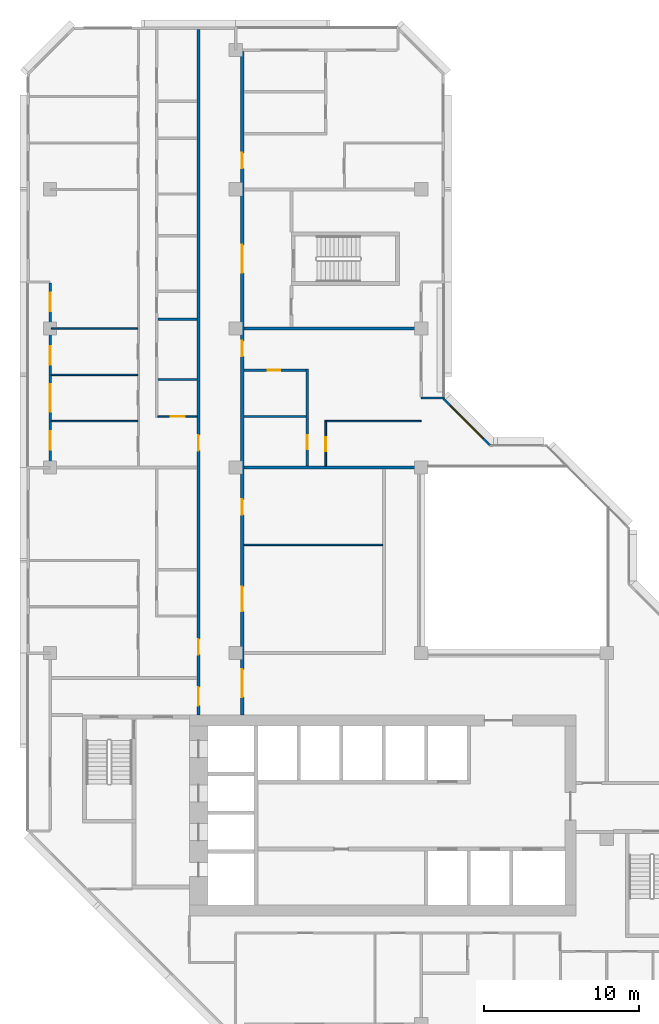
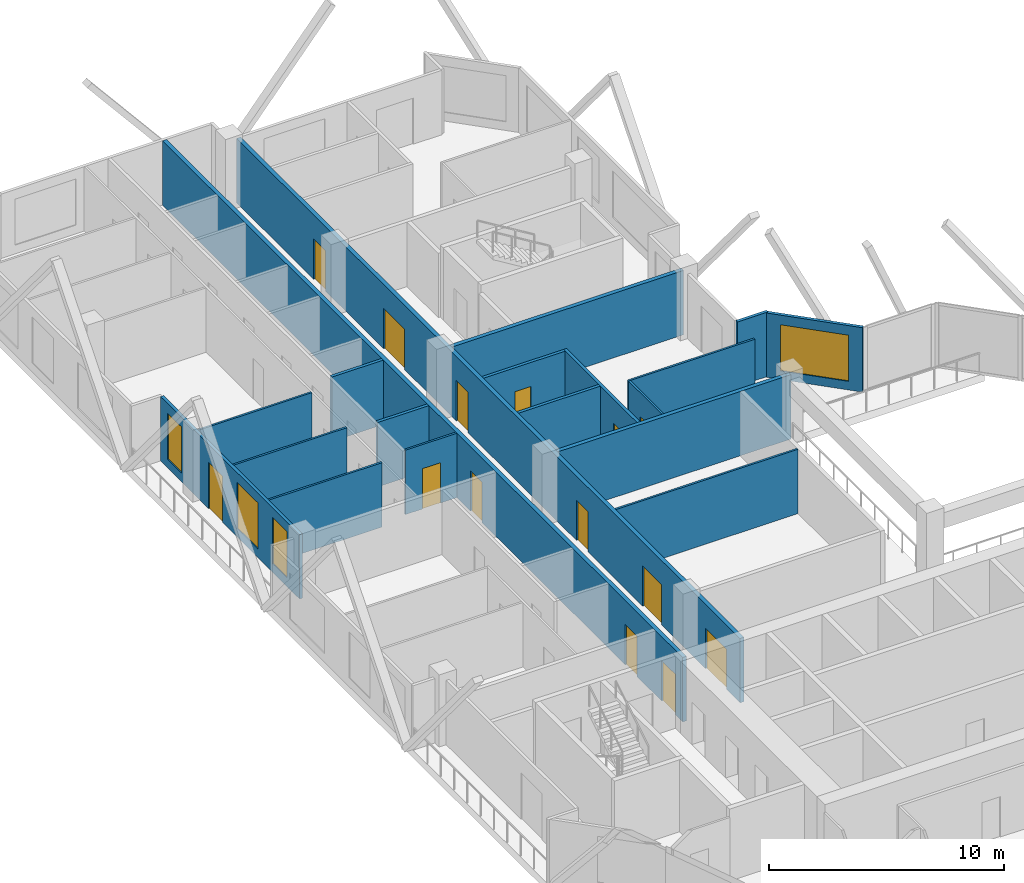
# One storey, part 9 of 14: 19 walls, 14 doors, 4 windows, 18 openings.
"""IFC4 building model written with IfcOpenShell, lengths in metres."""

from ifc_helpers import new_model, si_unit, direction, frame, frame_2d, origin, place, context, subcontext, project, spatial, rectangle, extrude, material, layer, layer_set, type_object, element, fill, save


model = new_model("IFC4")

# Units and contexts
model_context = context("Model", 3, precision=1e-05, world=origin(), true_north=direction((0.0, 1.0)))
body_context = subcontext(model_context, "Body", "Model", "MODEL_VIEW")
ifc_project = project(units=[si_unit("LENGTHUNIT", "METRE"), si_unit("AREAUNIT", "SQUARE_METRE"), si_unit("VOLUMEUNIT", "CUBIC_METRE"), si_unit("PLANEANGLEUNIT", "RADIAN"), si_unit("MASSUNIT", "GRAM", prefix="KILO")], contexts=[model_context])

# Site, building, storey
site_placement = place(None, origin())
site = spatial("IfcSite", under=ifc_project, at=site_placement, CompositionType="ELEMENT")
building_placement = place(site_placement, origin())
building = spatial("IfcBuilding", under=site, at=building_placement, Name="Chenar Terraces", CompositionType="ELEMENT")
storey_placement = place(building_placement, frame((0.0, 0.0, 226.64990234375)))
storey = spatial("IfcBuildingStorey", under=building, at=storey_placement, Name="L53", CompositionType="ELEMENT", Elevation=226.64990234375)

# Wall, openings, doors
ifc_material_1 = material(Name="Gypsum board on steel studs with fire boards", Category="steel")
ifc_layer_1 = layer(ifc_material_1, 0.199951171875)
ifc_layer_set_1 = layer_set([ifc_layer_1], Name="Gypsum board on steel studs with fire boards")
wall_type_1 = type_object("IfcWallType", Name="Corridor wall 200", PredefinedType="PARTITIONING", material=ifc_layer_set_1)
wall_1_placement = place(storey_placement, frame((9.60009765625, 20.0, 0.0), z_axis=(0.0, 0.0, 1.0), x_axis=(0.0, 1.0, 0.0)))
wall_1 = element("IfcWall", 1, at=wall_1_placement, inside=storey, type_object=wall_type_1, Name="Partition L53-029", PredefinedType="PARTITIONING", context=body_context, shape_type="SweptSolid", body=[
    extrude(rectangle(XDim=44.35009765625, YDim=0.199951171875, at=frame_2d((22.175048828125, 0.0))), origin(), (0.0, 0.0, 1.0), 3.35009765625),
])
opening_1_placement = place(wall_1_placement, frame((17.10009765625, 0.0, 0.0)))
opening_1 = element("IfcOpeningElement", 2, at=opening_1_placement, cuts=wall_1, Name="Opening DL53-29", PredefinedType="OPENING", context=body_context, shape_type="SweptSolid", body=[
    extrude(rectangle(XDim=1.0, YDim=2.10009765625, at=frame_2d((0.5, 1.050048828125))), frame((0.0, 0.10986328125, 0.0), z_axis=(0.0, -1.0, 0.0), x_axis=(1.0, 0.0, 0.0)), (0.0, 0.0, 1.0), 0.219970703125),
])
opening_2_placement = place(wall_1_placement, frame((0.60009765625, 0.0, 0.0)))
opening_2 = element("IfcOpeningElement", 3, at=opening_2_placement, cuts=wall_1, Name="Opening DL53-40", PredefinedType="OPENING", context=body_context, shape_type="SweptSolid", body=[
    extrude(rectangle(XDim=1.199951171875, YDim=2.10009765625, at=frame_2d((0.60009765625, 1.050048828125))), frame((0.0, 0.10986328125, 0.0), z_axis=(0.0, -1.0, 0.0), x_axis=(1.0, 0.0, 0.0)), (0.0, 0.0, 1.0), 0.219970703125),
])
opening_3_placement = place(wall_1_placement, frame((3.89990234375, 0.0, 0.0)))
opening_3 = element("IfcOpeningElement", 4, at=opening_3_placement, cuts=wall_1, Name="Opening DL53-64", PredefinedType="OPENING", context=body_context, shape_type="SweptSolid", body=[
    extrude(rectangle(XDim=1.0, YDim=2.10009765625, at=frame_2d((0.5, 1.050048828125))), frame((0.0, 0.10986328125, 0.0), z_axis=(0.0, -1.0, 0.0), x_axis=(1.0, 0.0, 0.0)), (0.0, 0.0, 1.0), 0.219970703125),
])
ifc_material_2 = material(Name="Steel-framed fire-resisting door leaf", Category="steel")
door_type_1 = type_object("IfcDoorType", Name="Fire door FD30S 1000 x 2100", OperationType="SINGLE_SWING_LEFT", PredefinedType="DOOR", material=ifc_material_2)
door_1_placement = place(opening_1_placement, origin())
door_1 = element("IfcDoor", 5, at=door_1_placement, inside=storey, type_object=door_type_1, Name="Door DL53-29", OperationType="SINGLE_SWING_LEFT", OverallHeight=2.10009765625, OverallWidth=1.0, PredefinedType="DOOR", context=body_context, shape_type="SweptSolid", body=[
    extrude(rectangle(XDim=1.0, YDim=2.10009765625, at=frame_2d((0.5, 1.050048828125))), frame((0.0, 0.02490234375, 0.0), z_axis=(0.0, -1.0, 0.0), x_axis=(1.0, 0.0, 0.0)), (0.0, 0.0, 1.0), 0.050048828125),
])
fill(opening_1, door_1)
door_2_placement = place(opening_3_placement, origin())
door_2 = element("IfcDoor", 6, at=door_2_placement, inside=storey, type_object=door_type_1, Name="Door DL53-64", OperationType="SINGLE_SWING_LEFT", OverallHeight=2.10009765625, OverallWidth=1.0, PredefinedType="DOOR", context=body_context, shape_type="SweptSolid", body=[
    extrude(rectangle(XDim=1.0, YDim=2.10009765625, at=frame_2d((0.5, 1.050048828125))), frame((0.0, 0.02490234375, 0.0), z_axis=(0.0, -1.0, 0.0), x_axis=(1.0, 0.0, 0.0)), (0.0, 0.0, 1.0), 0.050048828125),
])
fill(opening_3, door_2)
ifc_material_3 = material(Name="Steel-framed fire-resisting door leaf", Category="steel")
door_type_2 = type_object("IfcDoorType", Name="Fire door FD30S 1200 x 2100", OperationType="SINGLE_SWING_LEFT", PredefinedType="DOOR", material=ifc_material_3)
door_3_placement = place(opening_2_placement, origin())
door_3 = element("IfcDoor", 7, at=door_3_placement, inside=storey, type_object=door_type_2, Name="Door DL53-40", OperationType="SINGLE_SWING_RIGHT", OverallHeight=2.10009765625, OverallWidth=1.199951171875, PredefinedType="DOOR", context=body_context, shape_type="SweptSolid", body=[
    extrude(rectangle(XDim=1.199951171875, YDim=2.10009765625, at=frame_2d((0.60009765625, 1.050048828125))), frame((0.0, 0.02490234375, 0.0), z_axis=(0.0, -1.0, 0.0), x_axis=(1.0, 0.0, 0.0)), (0.0, 0.0, 1.0), 0.050048828125),
])
fill(opening_2, door_3)

wall_2_placement = place(storey_placement, frame((12.425048828125, 20.0, 0.0), z_axis=(0.0, 0.0, 1.0), x_axis=(0.0, 1.0, 0.0)))
wall_2 = element("IfcWall", 8, at=wall_2_placement, inside=storey, type_object=wall_type_1, Name="Partition L53-032", PredefinedType="PARTITIONING", context=body_context, shape_type="SweptSolid", body=[
    extrude(rectangle(XDim=42.926025390625, YDim=0.199951171875, at=frame_2d((21.462890625, 0.0))), origin(), (0.0, 0.0, 1.0), 3.35009765625),
])
opening_4_placement = place(wall_2_placement, frame((6.699951171875, 0.0, 0.0)))
opening_4 = element("IfcOpeningElement", 9, at=opening_4_placement, cuts=wall_2, Name="Opening DL53-1", PredefinedType="OPENING", context=body_context, shape_type="SweptSolid", body=[
    extrude(rectangle(XDim=1.60009765625, YDim=2.10009765625, at=frame_2d((0.800048828125, 1.050048828125))), frame((0.0, 0.10986328125, 0.0), z_axis=(0.0, -1.0, 0.0), x_axis=(1.0, 0.0, 0.0)), (0.0, 0.0, 1.0), 0.219970703125),
])
opening_5_placement = place(wall_2_placement, frame((12.949951171875, 0.0, 0.0)))
opening_5 = element("IfcOpeningElement", 10, at=opening_5_placement, cuts=wall_2, Name="Opening DL53-2", PredefinedType="OPENING", context=body_context, shape_type="SweptSolid", body=[
    extrude(rectangle(XDim=1.0, YDim=2.10009765625, at=frame_2d((0.5, 1.050048828125))), frame((0.0, 0.10986328125, 0.0), z_axis=(0.0, -1.0, 0.0), x_axis=(1.0, 0.0, 0.0)), (0.0, 0.0, 1.0), 0.219970703125),
])
opening_6_placement = place(wall_2_placement, frame((23.199951171875, 0.0, 0.0)))
opening_6 = element("IfcOpeningElement", 11, at=opening_6_placement, cuts=wall_2, Name="Opening DL53-17", PredefinedType="OPENING", context=body_context, shape_type="SweptSolid", body=[
    extrude(rectangle(XDim=1.0, YDim=2.10009765625, at=frame_2d((0.5, 1.050048828125))), frame((0.0, 0.10986328125, 0.0), z_axis=(0.0, -1.0, 0.0), x_axis=(1.0, 0.0, 0.0)), (0.0, 0.0, 1.0), 0.219970703125),
])
opening_7_placement = place(wall_2_placement, frame((35.35009765625, 0.0, 0.0)))
opening_7 = element("IfcOpeningElement", 12, at=opening_7_placement, cuts=wall_2, Name="Opening DL53-21", PredefinedType="OPENING", context=body_context, shape_type="SweptSolid", body=[
    extrude(rectangle(XDim=1.0, YDim=2.10009765625, at=frame_2d((0.5, 1.050048828125))), frame((0.0, 0.10986328125, 0.0), z_axis=(0.0, -1.0, 0.0), x_axis=(1.0, 0.0, 0.0)), (0.0, 0.0, 1.0), 0.219970703125),
])
opening_8_placement = place(wall_2_placement, frame((1.14990234375, 0.0, 0.0)))
opening_8 = element("IfcOpeningElement", 13, at=opening_8_placement, cuts=wall_2, Name="Opening DL53-39", PredefinedType="OPENING", context=body_context, shape_type="SweptSolid", body=[
    extrude(rectangle(XDim=1.800048828125, YDim=2.10009765625, at=frame_2d((0.89990234375, 1.050048828125))), frame((0.0, 0.10986328125, 0.0), z_axis=(0.0, -1.0, 0.0), x_axis=(1.0, 0.0, 0.0)), (0.0, 0.0, 1.0), 0.219970703125),
])
opening_9_placement = place(wall_2_placement, frame((28.60009765625, 0.0, 0.0)))
opening_9 = element("IfcOpeningElement", 14, at=opening_9_placement, cuts=wall_2, Name="Opening DL53-41", PredefinedType="OPENING", context=body_context, shape_type="SweptSolid", body=[
    extrude(rectangle(XDim=1.800048828125, YDim=2.10009765625, at=frame_2d((0.89990234375, 1.050048828125))), frame((0.0, 0.10986328125, 0.0), z_axis=(0.0, -1.0, 0.0), x_axis=(1.0, 0.0, 0.0)), (0.0, 0.0, 1.0), 0.219970703125),
])
ifc_material_4 = material(Name="Steel-framed fire-resisting door leaf", Category="steel")
door_type_3 = type_object("IfcDoorType", Name="Fire door FD60 1000 x 2100", OperationType="SINGLE_SWING_LEFT", PredefinedType="DOOR", material=ifc_material_4)
door_4_placement = place(opening_5_placement, frame((1.0, 0.0, 0.0), z_axis=(0.0, 0.0, 1.0), x_axis=(-1.0, 0.0, 0.0)))
door_4 = element("IfcDoor", 15, at=door_4_placement, inside=storey, type_object=door_type_3, Name="Door DL53-2", OperationType="SINGLE_SWING_LEFT", OverallHeight=2.10009765625, OverallWidth=1.0, PredefinedType="DOOR", context=body_context, shape_type="SweptSolid", body=[
    extrude(rectangle(XDim=1.0, YDim=2.10009765625, at=frame_2d((0.5, 1.050048828125))), frame((0.0, 0.02490234375, 0.0), z_axis=(0.0, -1.0, 0.0), x_axis=(1.0, 0.0, 0.0)), (0.0, 0.0, 1.0), 0.050048828125),
])
fill(opening_5, door_4)
door_5_placement = place(opening_6_placement, frame((1.0, 0.0, 0.0), z_axis=(0.0, 0.0, 1.0), x_axis=(-1.0, 0.0, 0.0)))
door_5 = element("IfcDoor", 16, at=door_5_placement, inside=storey, type_object=door_type_3, Name="Door DL53-17", OperationType="SINGLE_SWING_LEFT", OverallHeight=2.10009765625, OverallWidth=1.0, PredefinedType="DOOR", context=body_context, shape_type="SweptSolid", body=[
    extrude(rectangle(XDim=1.0, YDim=2.10009765625, at=frame_2d((0.5, 1.050048828125))), frame((0.0, 0.02490234375, 0.0), z_axis=(0.0, -1.0, 0.0), x_axis=(1.0, 0.0, 0.0)), (0.0, 0.0, 1.0), 0.050048828125),
])
fill(opening_6, door_5)
door_6_placement = place(opening_7_placement, frame((1.0, 0.0, 0.0), z_axis=(0.0, 0.0, 1.0), x_axis=(-1.0, 0.0, 0.0)))
door_6 = element("IfcDoor", 17, at=door_6_placement, inside=storey, type_object=door_type_3, Name="Door DL53-21", OperationType="SINGLE_SWING_LEFT", OverallHeight=2.10009765625, OverallWidth=1.0, PredefinedType="DOOR", context=body_context, shape_type="SweptSolid", body=[
    extrude(rectangle(XDim=1.0, YDim=2.10009765625, at=frame_2d((0.5, 1.050048828125))), frame((0.0, 0.02490234375, 0.0), z_axis=(0.0, -1.0, 0.0), x_axis=(1.0, 0.0, 0.0)), (0.0, 0.0, 1.0), 0.050048828125),
])
fill(opening_7, door_6)
ifc_material_5 = material(Name="Steel-framed fire-resisting door leaf", Category="steel")
door_type_4 = type_object("IfcDoorType", Name="Fire double door FD60 1600 x 2100", OperationType="DOUBLE_DOOR_SINGLE_SWING", PredefinedType="DOOR", material=ifc_material_5)
door_7_placement = place(opening_4_placement, frame((1.60009765625, 0.0, 0.0), z_axis=(0.0, 0.0, 1.0), x_axis=(-1.0, 0.0, 0.0)))
door_7 = element("IfcDoor", 18, at=door_7_placement, inside=storey, type_object=door_type_4, Name="Door DL53-1", OperationType="DOUBLE_DOOR_SINGLE_SWING", OverallHeight=2.10009765625, OverallWidth=1.60009765625, PredefinedType="DOOR", context=body_context, shape_type="SweptSolid", body=[
    extrude(rectangle(XDim=1.60009765625, YDim=2.10009765625, at=frame_2d((0.800048828125, 1.050048828125))), frame((0.0, 0.02490234375, 0.0), z_axis=(0.0, -1.0, 0.0), x_axis=(1.0, 0.0, 0.0)), (0.0, 0.0, 1.0), 0.050048828125),
])
fill(opening_4, door_7)
ifc_material_6 = material(Name="Steel-framed fire-resisting door leaf", Category="steel")
door_type_5 = type_object("IfcDoorType", Name="Fire double door FD60 1800 x 2100", OperationType="DOUBLE_DOOR_SINGLE_SWING", PredefinedType="DOOR", material=ifc_material_6)
door_8_placement = place(opening_8_placement, frame((1.800048828125, 0.0, 0.0), z_axis=(0.0, 0.0, 1.0), x_axis=(-1.0, 0.0, 0.0)))
door_8 = element("IfcDoor", 19, at=door_8_placement, inside=storey, type_object=door_type_5, Name="Door DL53-39", OperationType="DOUBLE_DOOR_SINGLE_SWING", OverallHeight=2.10009765625, OverallWidth=1.800048828125, PredefinedType="DOOR", context=body_context, shape_type="SweptSolid", body=[
    extrude(rectangle(XDim=1.800048828125, YDim=2.10009765625, at=frame_2d((0.89990234375, 1.050048828125))), frame((0.0, 0.02490234375, 0.0), z_axis=(0.0, -1.0, 0.0), x_axis=(1.0, 0.0, 0.0)), (0.0, 0.0, 1.0), 0.050048828125),
])
fill(opening_8, door_8)
door_9_placement = place(opening_9_placement, frame((1.800048828125, 0.0, 0.0), z_axis=(0.0, 0.0, 1.0), x_axis=(-1.0, 0.0, 0.0)))
door_9 = element("IfcDoor", 20, at=door_9_placement, inside=storey, type_object=door_type_5, Name="Door DL53-41", OperationType="DOUBLE_DOOR_SINGLE_SWING", OverallHeight=2.10009765625, OverallWidth=1.800048828125, PredefinedType="DOOR", context=body_context, shape_type="SweptSolid", body=[
    extrude(rectangle(XDim=1.800048828125, YDim=2.10009765625, at=frame_2d((0.89990234375, 1.050048828125))), frame((0.0, 0.02490234375, 0.0), z_axis=(0.0, -1.0, 0.0), x_axis=(1.0, 0.0, 0.0)), (0.0, 0.0, 1.0), 0.050048828125),
])
fill(opening_9, door_9)

# Wall, openings, windows, door
ifc_material_7 = material(Name="Aluminium framed glazing", Category="aluminium")
ifc_layer_2 = layer(ifc_material_7, 0.14990234375)
ifc_layer_set_2 = layer_set([ifc_layer_2], Name="Aluminium framed glazing")
wall_type_2 = type_object("IfcWallType", Name="Glazed loggia back wall 150", PredefinedType="SOLIDWALL", material=ifc_layer_set_2)
wall_3_placement = place(storey_placement, frame((0.0, 47.925048828125, 0.0), z_axis=(0.0, 0.0, 1.0), x_axis=(0.0, -1.0, 0.0)))
wall_3 = element("IfcWall", 21, at=wall_3_placement, inside=storey, type_object=wall_type_2, Name="Glazed loggia back wall", PredefinedType="SOLIDWALL", context=body_context, shape_type="SweptSolid", body=[
    extrude(rectangle(XDim=11.85009765625, YDim=0.14990234375, at=frame_2d((5.925048828125, 0.0))), origin(), (0.0, 0.0, 1.0), 3.35009765625),
])
opening_10_placement = place(wall_3_placement, frame((0.60009765625, 0.0, 0.449951171875)))
opening_10 = element("IfcOpeningElement", 22, at=opening_10_placement, cuts=wall_3, Name="Opening W120x240", PredefinedType="OPENING", context=body_context, shape_type="SweptSolid", body=[
    extrude(rectangle(XDim=1.199951171875, YDim=2.39990234375, at=frame_2d((0.60009765625, 1.199951171875))), frame((0.0, 0.0849609375, 0.0), z_axis=(0.0, -1.0, 0.0), x_axis=(1.0, 0.0, 0.0)), (0.0, 0.0, 1.0), 0.169921875),
])
opening_11_placement = place(wall_3_placement, frame((4.08740234375, 0.0, 0.0)))
opening_11 = element("IfcOpeningElement", 23, at=opening_11_placement, cuts=wall_3, Name="Opening DL53-G3", PredefinedType="OPENING", context=body_context, shape_type="SweptSolid", body=[
    extrude(rectangle(XDim=1.199951171875, YDim=2.39990234375, at=frame_2d((0.60009765625, 1.199951171875))), frame((0.0, 0.0849609375, 0.0), z_axis=(0.0, -1.0, 0.0), x_axis=(1.0, 0.0, 0.0)), (0.0, 0.0, 1.0), 0.169921875),
])
opening_12_placement = place(wall_3_placement, frame((6.52490234375, 0.0, 0.449951171875)))
opening_12 = element("IfcOpeningElement", 24, at=opening_12_placement, cuts=wall_3, Name="Opening W180x240", PredefinedType="OPENING", context=body_context, shape_type="SweptSolid", body=[
    extrude(rectangle(XDim=1.800048828125, YDim=2.39990234375, at=frame_2d((0.89990234375, 1.199951171875))), frame((0.0, 0.0849609375, 0.0), z_axis=(0.0, -1.0, 0.0), x_axis=(1.0, 0.0, 0.0)), (0.0, 0.0, 1.0), 0.169921875),
])
opening_13_placement = place(wall_3_placement, frame((9.5625, 0.0, 0.449951171875)))
opening_13 = element("IfcOpeningElement", 25, at=opening_13_placement, cuts=wall_3, Name="Opening W120x240", PredefinedType="OPENING", context=body_context, shape_type="SweptSolid", body=[
    extrude(rectangle(XDim=1.199951171875, YDim=2.39990234375, at=frame_2d((0.60009765625, 1.199951171875))), frame((0.0, 0.0849609375, 0.0), z_axis=(0.0, -1.0, 0.0), x_axis=(1.0, 0.0, 0.0)), (0.0, 0.0, 1.0), 0.169921875),
])
ifc_material_8 = material(Name="Low emissivity double glazing, aluminium frame", Category="aluminium")
window_type_1 = type_object("IfcWindowType", Name="Fixed light 1200 x 2400", PartitioningType="SINGLE_PANEL", PredefinedType="WINDOW", material=ifc_material_8)
window_1_placement = place(opening_10_placement, origin())
window_1 = element("IfcWindow", 26, at=window_1_placement, inside=storey, type_object=window_type_1, Name="Window", OverallHeight=2.39990234375, OverallWidth=1.199951171875, PartitioningType="SINGLE_PANEL", PredefinedType="WINDOW", context=body_context, shape_type="SweptSolid", body=[
    extrude(rectangle(XDim=1.199951171875, YDim=2.39990234375, at=frame_2d((0.60009765625, 1.199951171875))), frame((0.0, 0.030029296875, 0.0), z_axis=(0.0, -1.0, 0.0), x_axis=(1.0, 0.0, 0.0)), (0.0, 0.0, 1.0), 0.06005859375),
])
fill(opening_10, window_1)
window_2_placement = place(opening_13_placement, origin())
window_2 = element("IfcWindow", 27, at=window_2_placement, inside=storey, type_object=window_type_1, Name="Window", OverallHeight=2.39990234375, OverallWidth=1.199951171875, PartitioningType="SINGLE_PANEL", PredefinedType="WINDOW", context=body_context, shape_type="SweptSolid", body=[
    extrude(rectangle(XDim=1.199951171875, YDim=2.39990234375, at=frame_2d((0.60009765625, 1.199951171875))), frame((0.0, 0.030029296875, 0.0), z_axis=(0.0, -1.0, 0.0), x_axis=(1.0, 0.0, 0.0)), (0.0, 0.0, 1.0), 0.06005859375),
])
fill(opening_13, window_2)
ifc_material_9 = material(Name="Low emissivity double glazing, aluminium frame", Category="aluminium")
window_type_2 = type_object("IfcWindowType", Name="Fixed light 1800 x 2400", PartitioningType="SINGLE_PANEL", PredefinedType="WINDOW", material=ifc_material_9)
window_3_placement = place(opening_12_placement, origin())
window_3 = element("IfcWindow", 28, at=window_3_placement, inside=storey, type_object=window_type_2, Name="Window", OverallHeight=2.39990234375, OverallWidth=1.800048828125, PartitioningType="SINGLE_PANEL", PredefinedType="WINDOW", context=body_context, shape_type="SweptSolid", body=[
    extrude(rectangle(XDim=1.800048828125, YDim=2.39990234375, at=frame_2d((0.89990234375, 1.199951171875))), frame((0.0, 0.030029296875, 0.0), z_axis=(0.0, -1.0, 0.0), x_axis=(1.0, 0.0, 0.0)), (0.0, 0.0, 1.0), 0.06005859375),
])
fill(opening_12, window_3)
ifc_material_10 = material(Name="Low emissivity double glazing, aluminium frame", Category="aluminium")
door_type_6 = type_object("IfcDoorType", Name="Loggia glazed double door 1200 x 2400", OperationType="DOUBLE_DOOR_SINGLE_SWING", PredefinedType="DOOR", material=ifc_material_10)
door_10_placement = place(opening_11_placement, frame((1.199951171875, 0.0, 0.0), z_axis=(0.0, 0.0, 1.0), x_axis=(-1.0, 0.0, 0.0)))
door_10 = element("IfcDoor", 29, at=door_10_placement, inside=storey, type_object=door_type_6, Name="Loggia glazed door", OperationType="DOUBLE_DOOR_SINGLE_SWING", OverallHeight=2.39990234375, OverallWidth=1.199951171875, PredefinedType="DOOR", context=body_context, shape_type="SweptSolid", body=[
    extrude(rectangle(XDim=1.199951171875, YDim=2.39990234375, at=frame_2d((0.60009765625, 1.199951171875))), frame((0.0, 0.02490234375, 0.0), z_axis=(0.0, -1.0, 0.0), x_axis=(1.0, 0.0, 0.0)), (0.0, 0.0, 1.0), 0.050048828125),
])
fill(opening_11, door_10)

# Walls
ifc_material_11 = material(Name="Gypsum board on steel studs", Category="steel")
ifc_layer_3 = layer(ifc_material_11, 0.10009765625)
ifc_layer_set_3 = layer_set([ifc_layer_3], Name="Gypsum board on steel studs")
wall_type_3 = type_object("IfcWallType", Name="Gypsum partition 100", PredefinedType="PARTITIONING", material=ifc_layer_set_3)
for number, where, z_axis, x_axis, name in (
    (30, (0.073974609375, 39.0, 0.0), (0.0, 0.0, 1.0), (1.0, 0.0, 0.0), "Partition L53-009"),
    (31, (0.073974609375, 42.0, 0.0), (0.0, 0.0, 1.0), (1.0, 0.0, 0.0), "Partition L53-010"),
    (32, (0.073974609375, 45.0, 0.0), (0.0, 0.0, 1.0), (1.0, 0.0, 0.0), "Partition L53-011"),
):
    element("IfcWall", number, at=place(storey_placement, frame(where, z_axis=z_axis, x_axis=x_axis)), inside=storey, type_object=wall_type_3, Name=name, PredefinedType="PARTITIONING", context=body_context, shape_type="SweptSolid", body=[
        extrude(rectangle(XDim=5.575927734375, YDim=0.10009765625, at=frame_2d((2.7880859375, 0.0))), origin(), (0.0, 0.0, 1.0), 3.35009765625),
    ])

# Wall, opening, door
wall_4_placement = place(storey_placement, frame((6.97509765625, 39.300048828125, 0.0), z_axis=(0.0, 0.0, 1.0), x_axis=(1.0, 0.0, 0.0)))
wall_4 = element("IfcWall", 33, at=wall_4_placement, inside=storey, type_object=wall_type_3, Name="Partition L53-019", PredefinedType="PARTITIONING", context=body_context, shape_type="SweptSolid", body=[
    extrude(rectangle(XDim=2.52490234375, YDim=0.10009765625, at=frame_2d((1.262451171875, 0.0))), origin(), (0.0, 0.0, 1.0), 3.35009765625),
])
opening_14_placement = place(wall_4_placement, frame((0.824951171875, 0.0, 0.0)))
opening_14 = element("IfcOpeningElement", 34, at=opening_14_placement, cuts=wall_4, Name="Opening DL53-33", PredefinedType="OPENING", context=body_context, shape_type="SweptSolid", body=[
    extrude(rectangle(XDim=0.89990234375, YDim=2.10009765625, at=frame_2d((0.449951171875, 1.050048828125))), frame((0.0, 0.06005859375, 0.0), z_axis=(0.0, -1.0, 0.0), x_axis=(1.0, 0.0, 0.0)), (0.0, 0.0, 1.0), 0.1201171875),
])
ifc_material_12 = material(Name="Veneered timber door leaf", Category="wood")
door_type_7 = type_object("IfcDoorType", Name="Door 900 x 2100", OperationType="SINGLE_SWING_LEFT", PredefinedType="DOOR", material=ifc_material_12)
door_11_placement = place(opening_14_placement, origin())
door_11 = element("IfcDoor", 35, at=door_11_placement, inside=storey, type_object=door_type_7, Name="Door DL53-33", OperationType="SINGLE_SWING_RIGHT", OverallHeight=2.10009765625, OverallWidth=0.89990234375, PredefinedType="DOOR", context=body_context, shape_type="SweptSolid", body=[
    extrude(rectangle(XDim=0.89990234375, YDim=2.10009765625, at=frame_2d((0.449951171875, 1.050048828125))), frame((0.0, 0.02490234375, 0.0), z_axis=(0.0, -1.0, 0.0), x_axis=(1.0, 0.0, 0.0)), (0.0, 0.0, 1.0), 0.050048828125),
])
fill(opening_14, door_11)

# Walls
wall_5_placement = place(storey_placement, frame((12.52490234375, 31.0, 0.0), z_axis=(0.0, 0.0, 1.0), x_axis=(1.0, 0.0, 0.0)))
element("IfcWall", 36, at=wall_5_placement, inside=storey, type_object=wall_type_3, Name="Partition L53-034", PredefinedType="PARTITIONING", context=body_context, shape_type="SweptSolid", body=[
    extrude(rectangle(XDim=8.97509765625, YDim=0.10009765625, at=frame_2d((4.487548828125, 0.0))), origin(), (0.0, 0.0, 1.0), 3.35009765625),
])
wall_6_placement = place(storey_placement, frame((17.77490234375, 39.0, 0.0), z_axis=(0.0, 0.0, 1.0), x_axis=(1.0, 0.0, 0.0)))
element("IfcWall", 37, at=wall_6_placement, inside=storey, type_object=wall_type_3, Name="Partition L53-045", PredefinedType="PARTITIONING", context=body_context, shape_type="SweptSolid", body=[
    extrude(rectangle(XDim=6.22509765625, YDim=0.10009765625, at=frame_2d((3.112548828125, 0.0))), origin(), (0.0, 0.0, 1.0), 3.35009765625),
])

# Wall, opening, door
wall_7_placement = place(storey_placement, frame((17.824951171875, 36.10009765625, 0.0), z_axis=(0.0, 0.0, 1.0), x_axis=(0.0, 1.0, 0.0)))
wall_7 = element("IfcWall", 38, at=wall_7_placement, inside=storey, type_object=wall_type_3, Name="Partition L53-046", PredefinedType="PARTITIONING", context=body_context, shape_type="SweptSolid", body=[
    extrude(rectangle(XDim=2.849853515625, YDim=0.10009765625, at=frame_2d((1.4248046875, 0.0))), origin(), (0.0, 0.0, 1.0), 3.35009765625),
])
opening_15_placement = place(wall_7_placement, frame((0.949951171875, 0.0, 0.0)))
opening_15 = element("IfcOpeningElement", 39, at=opening_15_placement, cuts=wall_7, Name="Opening DL53-15", PredefinedType="OPENING", context=body_context, shape_type="SweptSolid", body=[
    extrude(rectangle(XDim=0.89990234375, YDim=2.10009765625, at=frame_2d((0.449951171875, 1.050048828125))), frame((0.0, 0.06005859375, 0.0), z_axis=(0.0, -1.0, 0.0), x_axis=(1.0, 0.0, 0.0)), (0.0, 0.0, 1.0), 0.1201171875),
])
door_12_placement = place(opening_15_placement, frame((0.89990234375, 0.0, 0.0), z_axis=(0.0, 0.0, 1.0), x_axis=(-1.0, 0.0, 0.0)))
door_12 = element("IfcDoor", 40, at=door_12_placement, inside=storey, type_object=door_type_7, Name="Door DL53-15", OperationType="SINGLE_SWING_LEFT", OverallHeight=2.10009765625, OverallWidth=0.89990234375, PredefinedType="DOOR", context=body_context, shape_type="SweptSolid", body=[
    extrude(rectangle(XDim=0.89990234375, YDim=2.10009765625, at=frame_2d((0.449951171875, 1.050048828125))), frame((0.0, 0.02490234375, 0.0), z_axis=(0.0, -1.0, 0.0), x_axis=(1.0, 0.0, 0.0)), (0.0, 0.0, 1.0), 0.050048828125),
])
fill(opening_15, door_12)

# Wall
ifc_material_13 = material(Name="Terracotta cladding on insulated backing", Category="masonry")
ifc_layer_4 = layer(ifc_material_13, 0.14990234375)
ifc_layer_set_4 = layer_set([ifc_layer_4], Name="Terracotta cladding on insulated backing")
wall_type_4 = type_object("IfcWallType", Name="Loggia return wall 150", PredefinedType="SOLIDWALL", material=ifc_layer_set_4)
wall_8_placement = place(storey_placement, frame((25.5, 40.5, 0.0), z_axis=(0.0, 0.0, 1.0), x_axis=(-1.0, 0.0, 0.0)))
element("IfcWall", 41, at=wall_8_placement, inside=storey, type_object=wall_type_4, Name="Loggia return wall", PredefinedType="SOLIDWALL", context=body_context, shape_type="SweptSolid", body=[
    extrude(rectangle(XDim=1.5, YDim=0.14990234375, at=frame_2d((0.75, 0.0))), origin(), (0.0, 0.0, 1.0), 3.35009765625),
])

# Wall, opening, window
ifc_material_14 = material(Name="Terracotta cladding on insulated backing", Category="masonry")
ifc_layer_5 = layer(ifc_material_14, 0.14990234375)
ifc_layer_set_5 = layer_set([ifc_layer_5], Name="Terracotta cladding on insulated backing")
wall_type_5 = type_object("IfcWallType", Name="Terracotta rainscreen wall 150", PredefinedType="SOLIDWALL", material=ifc_layer_set_5)
wall_9_placement = place(storey_placement, frame((28.447021484375, 37.447021484375, 0.0), z_axis=(0.0, 0.0, 1.0), x_axis=(-0.707106781187, 0.707106781187, 0.0)))
wall_9 = element("IfcWall", 42, at=wall_9_placement, inside=storey, type_object=wall_type_5, Name="Terracotta rainscreen wall", PredefinedType="SOLIDWALL", context=body_context, shape_type="SweptSolid", body=[
    extrude(rectangle(XDim=4.24267578125, YDim=0.14990234375, at=frame_2d((2.121337890625, 0.0))), origin(), (0.0, 0.0, 1.0), 3.35009765625),
])
opening_16_placement = place(wall_9_placement, frame((0.621337890625, 0.0, 0.449951171875)))
opening_16 = element("IfcOpeningElement", 43, at=opening_16_placement, cuts=wall_9, Name="Opening W300x240", PredefinedType="OPENING", context=body_context, shape_type="SweptSolid", body=[
    extrude(rectangle(XDim=3.0, YDim=2.39990234375, at=frame_2d((1.5, 1.199951171875))), frame((0.0, 0.0849609375, 0.0), z_axis=(0.0, -1.0, 0.0), x_axis=(1.0, 0.0, 0.0)), (0.0, 0.0, 1.0), 0.169921875),
])
ifc_material_15 = material(Name="Low emissivity double glazing, aluminium frame", Category="aluminium")
window_type_3 = type_object("IfcWindowType", Name="Fixed light 3000 x 2400", PartitioningType="SINGLE_PANEL", PredefinedType="WINDOW", material=ifc_material_15)
window_4_placement = place(opening_16_placement, origin())
window_4 = element("IfcWindow", 44, at=window_4_placement, inside=storey, type_object=window_type_3, Name="Window", OverallHeight=2.39990234375, OverallWidth=3.0, PartitioningType="SINGLE_PANEL", PredefinedType="WINDOW", context=body_context, shape_type="SweptSolid", body=[
    extrude(rectangle(XDim=3.0, YDim=2.39990234375, at=frame_2d((1.5, 1.199951171875))), frame((0.0, 0.030029296875, 0.0), z_axis=(0.0, -1.0, 0.0), x_axis=(1.0, 0.0, 0.0)), (0.0, 0.0, 1.0), 0.06005859375),
])
fill(opening_16, window_4)

# Walls
ifc_material_16 = material(Name="Twin gypsum board on steel studs with mineral wool", Category="steel")
ifc_layer_6 = layer(ifc_material_16, 0.199951171875)
ifc_layer_set_6 = layer_set([ifc_layer_6], Name="Twin gypsum board on steel studs with mineral wool")
wall_type_6 = type_object("IfcWallType", Name="Unit demising wall 200", PredefinedType="PARTITIONING", material=ifc_layer_set_6)
wall_10_placement = place(storey_placement, frame((12.52490234375, 36.0, 0.0), z_axis=(0.0, 0.0, 1.0), x_axis=(1.0, 0.0, 0.0)))
element("IfcWall", 45, at=wall_10_placement, inside=storey, type_object=wall_type_6, Name="Partition L53-035", PredefinedType="PARTITIONING", context=body_context, shape_type="SweptSolid", body=[
    extrude(rectangle(XDim=11.47509765625, YDim=0.199951171875, at=frame_2d((5.737548828125, 0.0))), origin(), (0.0, 0.0, 1.0), 3.35009765625),
])
wall_11_placement = place(storey_placement, frame((12.52490234375, 45.0, 0.0), z_axis=(0.0, 0.0, 1.0), x_axis=(1.0, 0.0, 0.0)))
element("IfcWall", 46, at=wall_11_placement, inside=storey, type_object=wall_type_6, Name="Partition L53-038", PredefinedType="PARTITIONING", context=body_context, shape_type="SweptSolid", body=[
    extrude(rectangle(XDim=11.401123046875, YDim=0.199951171875, at=frame_2d((5.70068359375, 0.0))), origin(), (0.0, 0.0, 1.0), 3.35009765625),
])
ifc_material_17 = material(Name="Moisture-resistant gypsum board on steel studs", Category="steel")
ifc_layer_7 = layer(ifc_material_17, 0.14990234375)
ifc_layer_set_7 = layer_set([ifc_layer_7], Name="Moisture-resistant gypsum board on steel studs")
wall_type_7 = type_object("IfcWallType", Name="Wet-room partition 150", PredefinedType="PARTITIONING", material=ifc_layer_set_7)
for number, where, z_axis, x_axis, name in (
    (47, (6.97509765625, 41.699951171875, 0.0), (0.0, 0.0, 1.0), (1.0, 0.0, 0.0), "Partition L53-020"),
    (48, (6.97509765625, 45.60009765625, 0.0), (0.0, 0.0, 1.0), (1.0, 0.0, 0.0), "Partition L53-021"),
):
    element("IfcWall", number, at=place(storey_placement, frame(where, z_axis=z_axis, x_axis=x_axis)), inside=storey, type_object=wall_type_7, Name=name, PredefinedType="PARTITIONING", context=body_context, shape_type="SweptSolid", body=[
        extrude(rectangle(XDim=2.52490234375, YDim=0.14990234375, at=frame_2d((1.262451171875, 0.0))), origin(), (0.0, 0.0, 1.0), 3.35009765625),
    ])
wall_12_placement = place(storey_placement, frame((12.52490234375, 39.300048828125, 0.0), z_axis=(0.0, 0.0, 1.0), x_axis=(1.0, 0.0, 0.0)))
element("IfcWall", 49, at=wall_12_placement, inside=storey, type_object=wall_type_7, Name="Partition L53-036", PredefinedType="PARTITIONING", context=body_context, shape_type="SweptSolid", body=[
    extrude(rectangle(XDim=4.025146484375, YDim=0.14990234375, at=frame_2d((2.0126953125, 0.0))), origin(), (0.0, 0.0, 1.0), 3.35009765625),
])

# Wall, opening, door
wall_13_placement = place(storey_placement, frame((12.52490234375, 42.300048828125, 0.0), z_axis=(0.0, 0.0, 1.0), x_axis=(1.0, 0.0, 0.0)))
wall_13 = element("IfcWall", 50, at=wall_13_placement, inside=storey, type_object=wall_type_7, Name="Partition L53-037", PredefinedType="PARTITIONING", context=body_context, shape_type="SweptSolid", body=[
    extrude(rectangle(XDim=4.025146484375, YDim=0.14990234375, at=frame_2d((2.0126953125, 0.0))), origin(), (0.0, 0.0, 1.0), 3.35009765625),
])
opening_17_placement = place(wall_13_placement, frame((1.550048828125, 0.0, 0.0)))
opening_17 = element("IfcOpeningElement", 51, at=opening_17_placement, cuts=wall_13, Name="Opening DL53-14", PredefinedType="OPENING", context=body_context, shape_type="SweptSolid", body=[
    extrude(rectangle(XDim=0.800048828125, YDim=2.10009765625, at=frame_2d((0.39990234375, 1.050048828125))), frame((0.0, 0.0849609375, 0.0), z_axis=(0.0, -1.0, 0.0), x_axis=(1.0, 0.0, 0.0)), (0.0, 0.0, 1.0), 0.169921875),
])
ifc_material_18 = material(Name="Veneered timber door leaf", Category="wood")
door_type_8 = type_object("IfcDoorType", Name="Door 800 x 2100", OperationType="SINGLE_SWING_LEFT", PredefinedType="DOOR", material=ifc_material_18)
door_13_placement = place(opening_17_placement, frame((0.800048828125, 0.0, 0.0), z_axis=(0.0, 0.0, 1.0), x_axis=(-1.0, 0.0, 0.0)))
door_13 = element("IfcDoor", 52, at=door_13_placement, inside=storey, type_object=door_type_8, Name="Door DL53-14", OperationType="SINGLE_SWING_LEFT", OverallHeight=2.10009765625, OverallWidth=0.800048828125, PredefinedType="DOOR", context=body_context, shape_type="SweptSolid", body=[
    extrude(rectangle(XDim=0.800048828125, YDim=2.10009765625, at=frame_2d((0.39990234375, 1.050048828125))), frame((0.0, 0.02490234375, 0.0), z_axis=(0.0, -1.0, 0.0), x_axis=(1.0, 0.0, 0.0)), (0.0, 0.0, 1.0), 0.050048828125),
])
fill(opening_17, door_13)

wall_14_placement = place(storey_placement, frame((16.625, 36.10009765625, 0.0), z_axis=(0.0, 0.0, 1.0), x_axis=(0.0, 1.0, 0.0)))
wall_14 = element("IfcWall", 53, at=wall_14_placement, inside=storey, type_object=wall_type_7, Name="Partition L53-044", PredefinedType="PARTITIONING", context=body_context, shape_type="SweptSolid", body=[
    extrude(rectangle(XDim=6.27490234375, YDim=0.14990234375, at=frame_2d((3.137451171875, 0.0))), origin(), (0.0, 0.0, 1.0), 3.35009765625),
])
opening_18_placement = place(wall_14_placement, frame((1.10009765625, 0.0, 0.0)))
opening_18 = element("IfcOpeningElement", 54, at=opening_18_placement, cuts=wall_14, Name="Opening DL53-16", PredefinedType="OPENING", context=body_context, shape_type="SweptSolid", body=[
    extrude(rectangle(XDim=0.89990234375, YDim=2.10009765625, at=frame_2d((0.449951171875, 1.050048828125))), frame((0.0, 0.0849609375, 0.0), z_axis=(0.0, -1.0, 0.0), x_axis=(1.0, 0.0, 0.0)), (0.0, 0.0, 1.0), 0.169921875),
])
door_14_placement = place(opening_18_placement, origin())
door_14 = element("IfcDoor", 55, at=door_14_placement, inside=storey, type_object=door_type_7, Name="Door DL53-16", OperationType="SINGLE_SWING_LEFT", OverallHeight=2.10009765625, OverallWidth=0.89990234375, PredefinedType="DOOR", context=body_context, shape_type="SweptSolid", body=[
    extrude(rectangle(XDim=0.89990234375, YDim=2.10009765625, at=frame_2d((0.449951171875, 1.050048828125))), frame((0.0, 0.02490234375, 0.0), z_axis=(0.0, -1.0, 0.0), x_axis=(1.0, 0.0, 0.0)), (0.0, 0.0, 1.0), 0.050048828125),
])
fill(opening_18, door_14)

save(model, "model.ifc")
